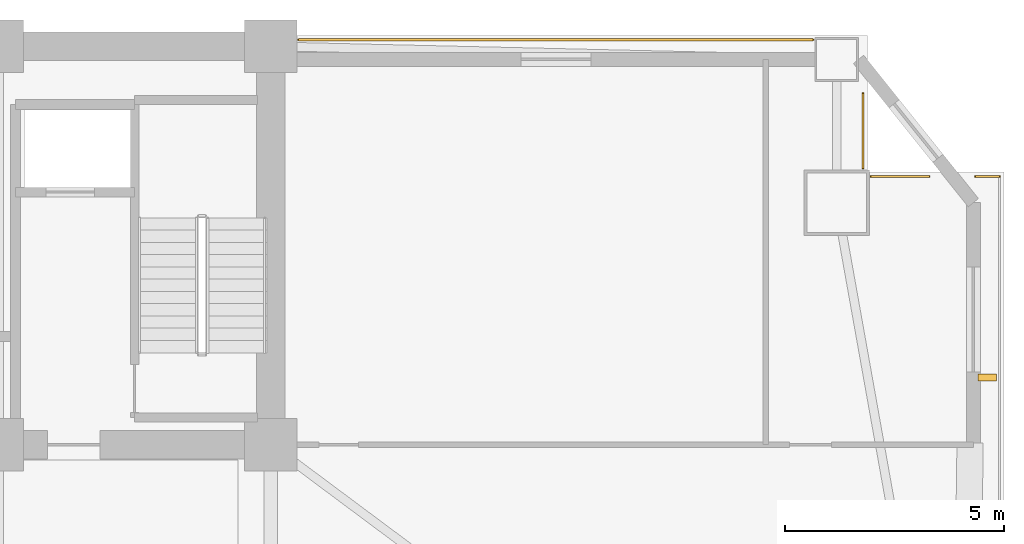
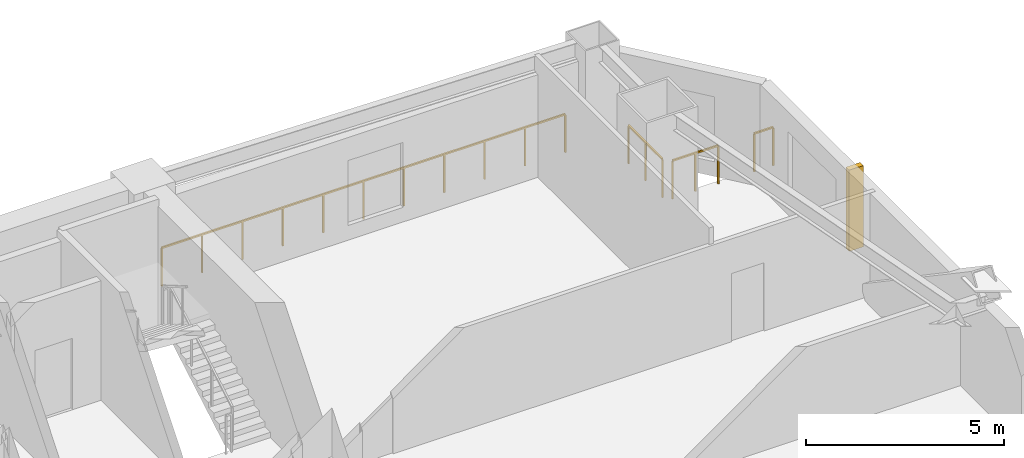
# One storey, part 18 of 18: 4 railings, 1 shading device.
"""IFC4 building model written with IfcOpenShell, lengths in metres."""

from ifc_helpers import new_model, si_unit, direction, frame, origin, origin_2d, place, context, subcontext, project, spatial, rectangle, extrude, source, transform, mapped, material, type_object, element, save


model = new_model("IFC4")

# Units and contexts
model_context = context("Model", 3, precision=1e-05, world=origin(), true_north=direction((0.0, 1.0)))
body_context = subcontext(model_context, "Body", "Model", "MODEL_VIEW")
ifc_project = project(units=[si_unit("LENGTHUNIT", "METRE"), si_unit("AREAUNIT", "SQUARE_METRE"), si_unit("VOLUMEUNIT", "CUBIC_METRE"), si_unit("PLANEANGLEUNIT", "RADIAN"), si_unit("MASSUNIT", "GRAM", prefix="KILO")], contexts=[model_context])

# Site, building, storey
site_placement = place(None, origin())
site = spatial("IfcSite", under=ifc_project, at=site_placement, CompositionType="ELEMENT")
building_placement = place(site_placement, origin())
building = spatial("IfcBuilding", under=site, at=building_placement, Name="Giltprow Tower", CompositionType="ELEMENT")
storey_placement = place(building_placement, frame((0.0, 0.0, 65.0)))
storey = spatial("IfcBuildingStorey", under=building, at=storey_placement, Name="L16", CompositionType="ELEMENT", Elevation=65.0)

# Railings
ifc_material = material(Name="Anodized bronze", Category="metal")
railing_type = type_object("IfcRailingType", Name="RAIL-BALC-GUARD-1200", PredefinedType="BALUSTRADE", material=ifc_material)
railing_1_placement = place(storey_placement, frame((51.18505859375, 46.699951171875, 0.0)))
element("IfcRailing", 1, at=railing_1_placement, inside=storey, type_object=railing_type, Name="L16 Corner Apron Edge Balustrade 10", PredefinedType="BALUSTRADE", context=body_context, shape_type="SweptSolid", body=[
    extrude(rectangle(XDim=0.048095703125, YDim=0.048095703125, at=origin_2d()), frame((0.0, 0.0, 1.17578125), z_axis=(1.0, 0.0, 0.0), x_axis=(0.0, 1.0, 0.0)), (0.0, 0.0, 1.0), 11.75390625),
    extrude(rectangle(XDim=0.0419921875, YDim=0.0419921875, at=origin_2d()), origin(), (0.0, 0.0, 1.0), 1.15185546875),
    extrude(rectangle(XDim=0.0419921875, YDim=0.0419921875, at=origin_2d()), frame((1.17529296875, 0.0, 0.0)), (0.0, 0.0, 1.0), 1.15185546875),
    extrude(rectangle(XDim=0.0419921875, YDim=0.0419921875, at=origin_2d()), frame((2.350830078125, 0.0, 0.0)), (0.0, 0.0, 1.0), 1.15185546875),
    extrude(rectangle(XDim=0.0419921875, YDim=0.0419921875, at=origin_2d()), frame((3.526123046875, 0.0, 0.0)), (0.0, 0.0, 1.0), 1.15185546875),
    extrude(rectangle(XDim=0.0419921875, YDim=0.0419921875, at=origin_2d()), frame((4.70166015625, 0.0, 0.0)), (0.0, 0.0, 1.0), 1.15185546875),
    extrude(rectangle(XDim=0.0419921875, YDim=0.0419921875, at=origin_2d()), frame((5.876953125, 0.0, 0.0)), (0.0, 0.0, 1.0), 1.15185546875),
    extrude(rectangle(XDim=0.0419921875, YDim=0.0419921875, at=origin_2d()), frame((7.05224609375, 0.0, 0.0)), (0.0, 0.0, 1.0), 1.15185546875),
    extrude(rectangle(XDim=0.0419921875, YDim=0.0419921875, at=origin_2d()), frame((8.227783203125, 0.0, 0.0)), (0.0, 0.0, 1.0), 1.15185546875),
    extrude(rectangle(XDim=0.0419921875, YDim=0.0419921875, at=origin_2d()), frame((9.403076171875, 0.0, 0.0)), (0.0, 0.0, 1.0), 1.15185546875),
    extrude(rectangle(XDim=0.0419921875, YDim=0.0419921875, at=origin_2d()), frame((10.57861328125, 0.0, 0.0)), (0.0, 0.0, 1.0), 1.15185546875),
    extrude(rectangle(XDim=0.0419921875, YDim=0.0419921875, at=origin_2d()), frame((11.75390625, 0.0, 0.0)), (0.0, 0.0, 1.0), 1.15185546875),
])
railing_2_placement = place(storey_placement, frame((64.073974609375, 45.469970703125, 0.0)))
element("IfcRailing", 2, at=railing_2_placement, inside=storey, type_object=railing_type, Name="L16 Corner Apron Edge Balustrade 11", PredefinedType="BALUSTRADE", context=body_context, shape_type="SweptSolid", body=[
    extrude(rectangle(XDim=0.048095703125, YDim=0.048095703125, at=origin_2d()), frame((0.0, 0.0, 1.17578125), z_axis=(0.0, -1.0, 0.0), x_axis=(1.0, 0.0, 0.0)), (0.0, 0.0, 1.0), 1.70703125),
    extrude(rectangle(XDim=0.0419921875, YDim=0.0419921875, at=origin_2d()), origin(), (0.0, 0.0, 1.0), 1.15185546875),
    extrude(rectangle(XDim=0.0419921875, YDim=0.0419921875, at=origin_2d()), frame((0.0, -0.853515625, 0.0)), (0.0, 0.0, 1.0), 1.15185546875),
    extrude(rectangle(XDim=0.0419921875, YDim=0.0419921875, at=origin_2d()), frame((0.0, -1.70703125, 0.0)), (0.0, 0.0, 1.0), 1.15185546875),
])
railing_3_placement = place(storey_placement, frame((64.259033203125, 43.577880859375, 0.0)))
element("IfcRailing", 3, at=railing_3_placement, inside=storey, type_object=railing_type, Name="L16 Corner Apron Edge Balustrade 12", PredefinedType="BALUSTRADE", context=body_context, shape_type="SweptSolid", body=[
    extrude(rectangle(XDim=0.048095703125, YDim=0.048095703125, at=origin_2d()), frame((0.0, 0.0, 1.17578125), z_axis=(1.0, 0.0, 0.0), x_axis=(0.0, 1.0, 0.0)), (0.0, 0.0, 1.0), 1.3310546875),
    extrude(rectangle(XDim=0.0419921875, YDim=0.0419921875, at=origin_2d()), origin(), (0.0, 0.0, 1.0), 1.15185546875),
    extrude(rectangle(XDim=0.0419921875, YDim=0.0419921875, at=origin_2d()), frame((0.66552734375, 0.0, 0.0)), (0.0, 0.0, 1.0), 1.15185546875),
    extrude(rectangle(XDim=0.0419921875, YDim=0.0419921875, at=origin_2d()), frame((1.3310546875, 0.0, 0.0)), (0.0, 0.0, 1.0), 1.15185546875),
])
railing_4_placement = place(storey_placement, frame((66.64111328125, 43.577880859375, 0.0)))
element("IfcRailing", 4, at=railing_4_placement, inside=storey, type_object=railing_type, Name="L16 Corner Apron Edge Balustrade 13", PredefinedType="BALUSTRADE", context=body_context, shape_type="SweptSolid", body=[
    extrude(rectangle(XDim=0.048095703125, YDim=0.048095703125, at=origin_2d()), frame((0.0, 0.0, 1.17578125), z_axis=(1.0, 0.0, 0.0), x_axis=(0.0, 1.0, 0.0)), (0.0, 0.0, 1.0), 0.554931640625),
    extrude(rectangle(XDim=0.0419921875, YDim=0.0419921875, at=origin_2d()), origin(), (0.0, 0.0, 1.0), 1.15185546875),
    extrude(rectangle(XDim=0.0419921875, YDim=0.0419921875, at=origin_2d()), frame((0.554931640625, 0.0, 0.0)), (0.0, 0.0, 1.0), 1.15185546875),
])

# Shading device
shading_device_type = type_object("IfcShadingDeviceType", Name="SHD-FIN-420", PredefinedType="USERDEFINED", material=ifc_material)
shared_shape = source(origin(), body_context, "Body", "SweptSolid", [
    extrude(rectangle(XDim=0.419921875, YDim=0.159912109375, at=origin_2d()), origin(), (0.0, 0.0, 1.0), 2.5),
])
shading_device_placement = place(storey_placement, frame((66.916015625, 38.988037109375, 0.35009765625), z_axis=(0.0, 0.0, 1.0), x_axis=(1.0, 0.0, 0.0)))
element("IfcShadingDevice", 5, at=shading_device_placement, inside=storey, type_object=shading_device_type, Name="L16 E Bronze Vertical Fin 2-2", ObjectType="FIN", PredefinedType="USERDEFINED", context=body_context, shape_type="MappedRepresentation", body=[
    mapped(shared_shape, transform((0.0, 0.0, 0.0), x_axis=(1.0, 0.0, 0.0), y_axis=(0.0, 1.0, 0.0), z_axis=(0.0, 0.0, 1.0), scale=1.0)),
])

save(model, "model.ifc")
